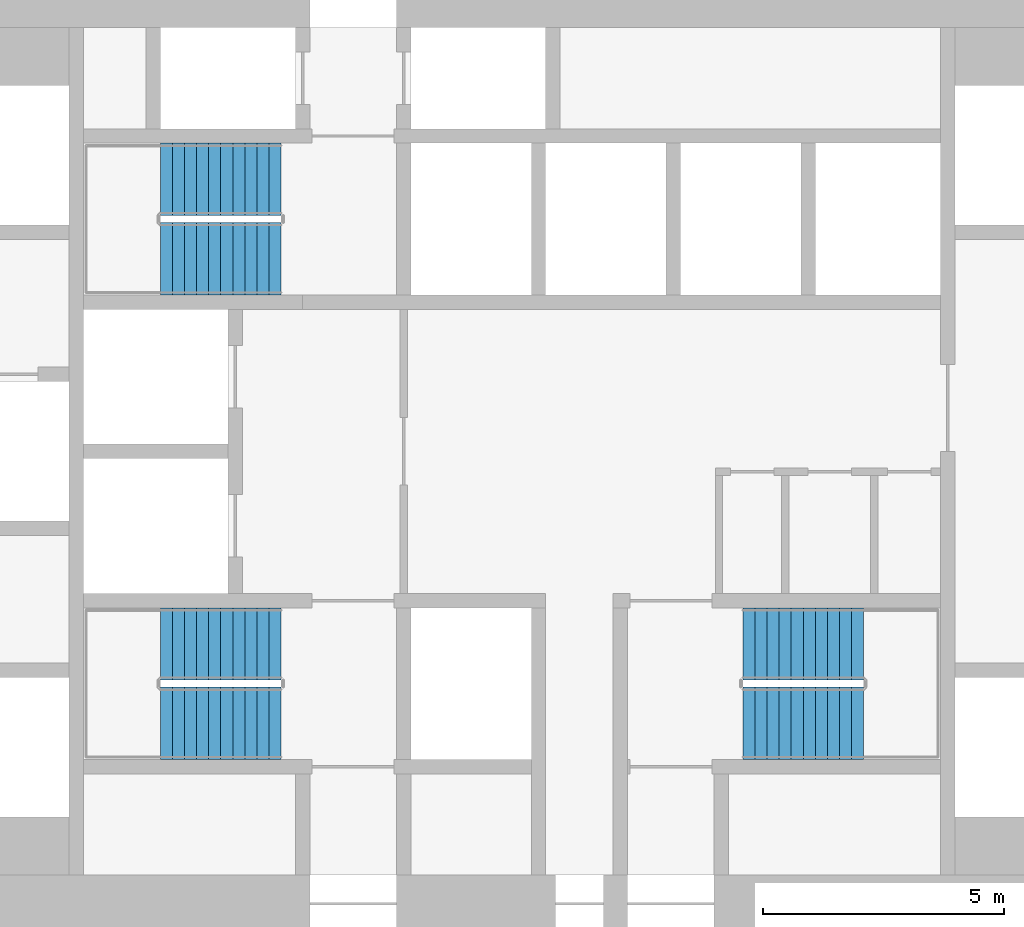
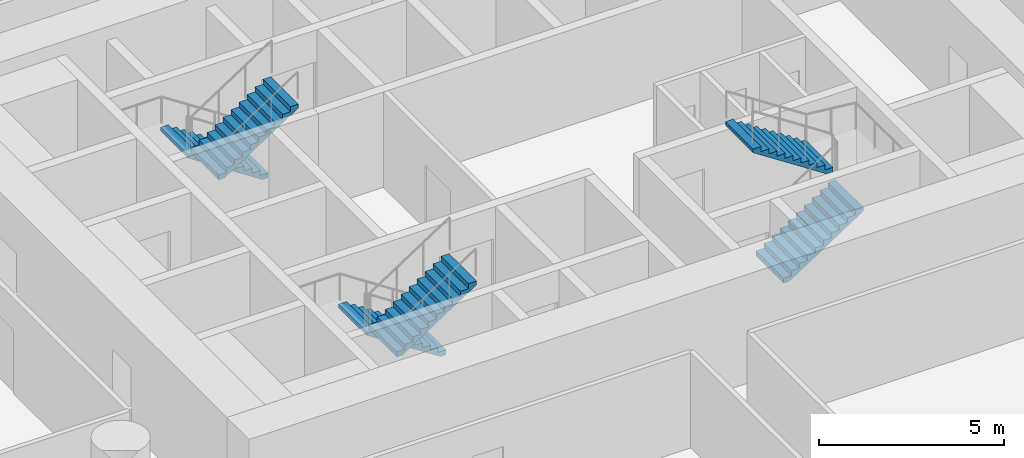
# One storey, part 11 of 12: 6 stair flights, 3 elements without a shape of their own.
"""IFC4 building model written with IfcOpenShell, lengths in metres."""

import ifcopenshell
import ifcopenshell.guid

model = None  # the IFC model being written
_history = None  # IfcOwnerHistory: only IFC2X3 demands one
_inside = {}  # id of a spatial element -> (the spatial element, [elements in it])
_under = {}  # id of a project, library or spatial element -> (it, [spatial elements below it])
_declared = {}  # id of a project -> (the project, [libraries it declares])
_typed = {}  # id of a type object -> (the type object, [elements of that type])
_made_of = {}  # id of a material, layer set ... -> (it, [elements and type objects made of it])


def new_model(schema):
    """Start an empty IFC model of exactly this schema.

    Asked for "IFC4X3", IfcOpenShell would pick the latest addendum, in which some entities
    have other attributes; the version numbers below select the first issue.
    IFC2X3 requires an IfcOwnerHistory on every rooted entity: one is made here for all.
    """
    global model, _history
    if schema == "IFC4X3":
        model = ifcopenshell.file(schema_version=(4, 3, 0, 0))
    else:
        model = ifcopenshell.file(schema=schema)
    _inside.clear()
    _under.clear()
    _declared.clear()
    _typed.clear()
    _made_of.clear()
    _history = None
    if model.schema == "IFC2X3":
        org = make("IfcOrganization", Name="unknown")
        user = make(
            "IfcPersonAndOrganization",
            ThePerson=make("IfcPerson", FamilyName="unknown"),
            TheOrganization=org,
        )
        app = make(
            "IfcApplication",
            ApplicationDeveloper=org,
            Version="unknown",
            ApplicationFullName="unknown",
            ApplicationIdentifier="unknown",
        )
        _history = make(
            "IfcOwnerHistory",
            OwningUser=user,
            OwningApplication=app,
            ChangeAction="ADDED",
            CreationDate=0,
        )
    return model


def make(cls, **values):
    """One entity of the class cls with the attributes given. An attribute that is None is left unset."""
    return model.create_entity(
        cls, **{name: value for name, value in values.items() if value is not None}
    )


def rooted(cls, **values):
    """An entity with a GlobalId (a new one), such as an element, a storey or a relation."""
    return make(cls, GlobalId=ifcopenshell.guid.new(), OwnerHistory=_history, **values)


def si_unit(unit_type, name, prefix=None):
    """IfcSIUnit, for example si_unit("LENGTHUNIT", "METRE", prefix="MILLI")."""
    return make("IfcSIUnit", UnitType=unit_type, Prefix=prefix, Name=name)


def assignment(units):
    """IfcUnitAssignment: the units of a project."""
    return None if units is None else make("IfcUnitAssignment", Units=units)


def point(xyz):
    """IfcCartesianPoint."""
    return None if xyz is None else make("IfcCartesianPoint", Coordinates=xyz)


def direction(xyz):
    """IfcDirection."""
    return None if xyz is None else make("IfcDirection", DirectionRatios=xyz)


def frame(location, z_axis=None, x_axis=None):
    """IfcAxis2Placement3D, a coordinate frame: its origin and axes. An axis left out is left unset."""
    return make(
        "IfcAxis2Placement3D",
        Location=point(location),
        Axis=direction(z_axis),
        RefDirection=direction(x_axis),
    )


def origin():
    """The frame at (0, 0, 0) with its axes left unset."""
    return frame((0.0, 0.0, 0.0))


def place(relative_to, where):
    """IfcLocalPlacement: puts the frame where relative to a parent placement (None: the world)."""
    return make(
        "IfcLocalPlacement", PlacementRelTo=relative_to, RelativePlacement=where
    )


def context(
    kind, dimensions, precision=None, world=None, true_north=None, identifier=None
):
    """IfcGeometricRepresentationContext, for example the 3D "Model" context."""
    return make(
        "IfcGeometricRepresentationContext",
        ContextIdentifier=identifier,
        ContextType=kind,
        CoordinateSpaceDimension=dimensions,
        Precision=precision,
        WorldCoordinateSystem=world,
        TrueNorth=true_north,
    )


def subcontext(parent, identifier, kind, view, scale=None):
    """IfcGeometricRepresentationSubContext, for example "Body" below "Model"."""
    return make(
        "IfcGeometricRepresentationSubContext",
        ContextIdentifier=identifier,
        ContextType=kind,
        ParentContext=parent,
        TargetScale=scale,
        TargetView=view,
    )


def project(units=None, contexts=None):
    """IfcProject with its units and contexts."""
    return rooted(
        "IfcProject",
        Name="project",
        RepresentationContexts=contexts,
        UnitsInContext=assignment(units),
    )


def spatial(cls, under=None, at=None, **own):
    """A site, building, storey or space (cls), placed at a placement, below another one or the project."""
    s = rooted(cls, ObjectPlacement=at, **own)
    if under is not None:
        _under.setdefault(under.id(), (under, []))[1].append(s)
    return s


def polyline(points):
    """IfcPolyline through the points."""
    return make("IfcPolyline", Points=[point(p) for p in points])


def outline(outer, holes=None, kind="AREA"):
    """IfcArbitraryClosedProfileDef: a profile drawn as a closed curve; with holes, ...WithVoids."""
    if holes is None:
        return make("IfcArbitraryClosedProfileDef", ProfileType=kind, OuterCurve=outer)
    return make(
        "IfcArbitraryProfileDefWithVoids",
        ProfileType=kind,
        OuterCurve=outer,
        InnerCurves=holes,
    )


def extrude(swept, where, along, depth):
    """IfcExtrudedAreaSolid: the profile swept, set in the frame where, extruded along a direction by depth."""
    return make(
        "IfcExtrudedAreaSolid",
        SweptArea=swept,
        Position=where,
        ExtrudedDirection=direction(along),
        Depth=depth,
    )


def shape(context_of_items, identifier, shape_type, items):
    """IfcShapeRepresentation: the items that make up one representation, for example the "Body"."""
    return make(
        "IfcShapeRepresentation",
        ContextOfItems=context_of_items,
        RepresentationIdentifier=identifier,
        RepresentationType=shape_type,
        Items=items,
    )


def material(Name=None, Category=None):
    """IfcMaterial."""
    return make("IfcMaterial", Name=Name, Category=Category)


def made_of(thing, what):
    """Note that an element or type object is made of a material, layer set ...; save() writes the relation."""
    if what is not None:
        _made_of.setdefault(what.id(), (what, []))[1].append(thing)
    return thing


def type_object(cls, material=None, **own):
    """A type object (cls), such as IfcWallType, which elements share."""
    return made_of(rooted(cls, **own), material)


def element(
    cls,
    number,
    at=None,
    inside=None,
    cuts=None,
    type_object=None,
    material=None,
    context=None,
    identifier="Body",
    shape_type=None,
    held_by="IfcProductDefinitionShape",
    body=None,
    shapes=None,
    **own,
):
    """One element of the class cls, such as IfcWall. Its Tag is "e" and its number.

    at: its placement. inside: the storey or other place that contains it. cuts: it is an
    opening in that element (IfcRelVoidsElement). A single representation is given by context,
    identifier, shape_type and body (its items); several are given by shapes. held_by: the class
    of the entity that holds the representations. save() writes the other relations.
    """
    e = rooted(cls, Tag="e%d" % number, ObjectPlacement=at, **own)
    if body is not None:
        shapes = [shape(context, identifier, shape_type, body)]
    if shapes is not None:
        e.Representation = make(held_by, Representations=shapes)
    if inside is not None:
        _inside.setdefault(inside.id(), (inside, []))[1].append(e)
    if cuts is not None:
        rooted(
            "IfcRelVoidsElement", RelatingBuildingElement=cuts, RelatedOpeningElement=e
        )
    if type_object is not None:
        _typed.setdefault(type_object.id(), (type_object, []))[1].append(e)
    return made_of(e, material)


def aggregate(whole, parts):
    """IfcRelAggregates: a whole, such as a stair, and the parts it consists of."""
    return rooted("IfcRelAggregates", RelatingObject=whole, RelatedObjects=parts)


def save(model, path):
    """Write the relations noted so far, then the file.

    IfcRelAggregates (storeys below a building ...), IfcRelContainedInSpatialStructure (elements
    in a storey), IfcRelDefinesByType, IfcRelAssociatesMaterial and IfcRelDeclares: one each for
    every whole, place, type object, material and project.
    """
    for whole, parts in _under.values():
        aggregate(whole, parts)
    for where, things in _inside.values():
        rooted(
            "IfcRelContainedInSpatialStructure",
            RelatedElements=things,
            RelatingStructure=where,
        )
    for kind, things in _typed.values():
        rooted("IfcRelDefinesByType", RelatedObjects=things, RelatingType=kind)
    for what, things in _made_of.values():
        rooted("IfcRelAssociatesMaterial", RelatedObjects=things, RelatingMaterial=what)
    for by, libraries in _declared.values():
        rooted("IfcRelDeclares", RelatingContext=by, RelatedDefinitions=libraries)
    model.write(path)


model = new_model("IFC4")

# Units and contexts
model_context = context("Model", 3, precision=1e-05, world=origin(), true_north=direction((0.0, 1.0)))
body_context = subcontext(model_context, "Body", "Model", "MODEL_VIEW")
ifc_project = project(units=[si_unit("LENGTHUNIT", "METRE"), si_unit("AREAUNIT", "SQUARE_METRE"), si_unit("VOLUMEUNIT", "CUBIC_METRE"), si_unit("PLANEANGLEUNIT", "RADIAN"), si_unit("MASSUNIT", "GRAM", prefix="KILO")], contexts=[model_context])

# Site, building, storey
site_placement = place(None, origin())
site = spatial("IfcSite", under=ifc_project, at=site_placement, CompositionType="ELEMENT")
building_placement = place(site_placement, origin())
building = spatial("IfcBuilding", under=site, at=building_placement, Name="Tracery Tower", CompositionType="ELEMENT")
storey_placement = place(building_placement, frame((0.0, 0.0, 42.60009765625)))
storey = spatial("IfcBuildingStorey", under=building, at=storey_placement, Name="L09", CompositionType="ELEMENT", Elevation=42.60009765625)

# Stair, stair flights
ifc_material_1 = material(Name="Concrete C32/40", Category="concrete")
stair_type = type_object("IfcStairType", Name="Core stair 22 risers", PredefinedType="HALF_TURN_STAIR", material=ifc_material_1)
stair_1_placement = place(storey_placement, origin())
stair_1 = element("IfcStair", 1, at=stair_1_placement, inside=storey, type_object=stair_type, Name="L09 stair ST1", PredefinedType="HALF_TURN_STAIR")
ifc_material_2 = material(Name="Concrete C32/40", Category="concrete")
stair_flight_type = type_object("IfcStairFlightType", Name="Core stair flight 11 risers", PredefinedType="STRAIGHT", material=ifc_material_2)
stair_flight_1_placement = place(storey_placement, frame((-4.800048828125, -4.0, 0.0), z_axis=(0.0, 0.0, 1.0), x_axis=(-1.0, 0.0, 0.0)))
stair_flight_1 = element("IfcStairFlight", 2, at=stair_flight_1_placement, type_object=stair_flight_type, Name="ST1 flight 1", NumberOfRisers=11, NumberOfTreads=10, PredefinedType="STRAIGHT", RiserHeight=0.163636364, TreadLength=0.25, context=body_context, shape_type="SweptSolid", body=[
    extrude(outline(polyline([(0.0, 0.0), (0.0, 0.002685546875), (0.0, 0.00537109375), (0.0, 0.008056640625), (0.0, 0.0107421875), (0.0, 0.013427734375), (0.0, 0.01611328125), (0.0, 0.018798828125), (0.0, 0.021484375), (0.0, 0.024169921875), (0.0, 0.02685546875), (0.0, 0.029541015625), (0.0, 0.0322265625), (0.0, 0.034912109375), (0.0, 0.03759765625), (0.0, 0.040283203125), (0.0, 0.04296875), (0.0, 0.045654296875), (0.0, 0.04833984375), (0.0, 0.051025390625), (0.0, 0.0537109375), (0.0, 0.056396484375), (0.0, 0.05908203125), (0.0, 0.061767578125), (0.0, 0.064453125), (0.0, 0.067138671875), (0.0, 0.06982421875), (0.0, 0.072509765625), (0.0, 0.0751953125), (0.0, 0.077880859375), (0.0, 0.08056640625), (0.0, 0.083251953125), (0.0, 0.0859375), (0.0, 0.088623046875), (0.0, 0.09130859375), (0.0, 0.093994140625), (0.0, 0.0966796875), (0.0, 0.099365234375), (0.0, 0.10205078125), (0.0, 0.104736328125), (0.0, 0.107421875), (0.0, 0.10986328125), (0.0, 0.112548828125), (0.0, 0.115234375), (0.0, 0.117919921875), (0.0, 0.12060546875), (0.0, 0.123291015625), (0.0, 0.1259765625), (0.0, 0.128662109375), (0.0, 0.13134765625), (0.0, 0.134033203125), (0.0, 0.13671875), (0.0, 0.139404296875), (0.0, 0.14208984375), (0.0, 0.144775390625), (0.0, 0.1474609375), (0.0, 0.150146484375), (0.0, 0.15283203125), (0.0, 0.155517578125), (0.0, 0.158203125), (0.0, 0.160888671875), (0.0, 0.16357421875), (0.25, 0.16357421875), (0.25, 0.327392578125), (0.5, 0.327392578125), (0.5, 0.490966796875), (0.75, 0.490966796875), (0.75, 0.654541015625), (1.0, 0.654541015625), (1.0, 0.818115234375), (1.25, 0.818115234375), (1.25, 0.98193359375), (1.5, 0.98193359375), (1.5, 1.1455078125), (1.75, 1.1455078125), (1.75, 1.30908203125), (2.0, 1.30908203125), (2.0, 1.47265625), (2.25, 1.47265625), (2.25, 1.636474609375), (2.5, 1.636474609375), (2.5, 1.634521484375), (2.5, 1.63232421875), (2.5, 1.63037109375), (2.5, 1.62841796875), (2.5, 1.62646484375), (2.5, 1.62451171875), (2.5, 1.62255859375), (2.5, 1.62060546875), (2.5, 1.61865234375), (2.5, 1.61669921875), (2.5, 1.61474609375), (2.5, 1.61279296875), (2.5, 1.61083984375), (2.5, 1.60888671875), (2.5, 1.60693359375), (2.5, 1.60498046875), (2.5, 1.60302734375), (2.5, 1.60107421875), (2.5, 1.59912109375), (2.5, 1.59716796875), (2.5, 1.59521484375), (2.5, 1.59326171875), (2.5, 1.59130859375), (2.5, 1.58935546875), (2.5, 1.58740234375), (2.5, 1.58544921875), (2.5, 1.58349609375), (2.5, 1.58154296875), (2.5, 1.57958984375), (2.5, 1.57763671875), (2.5, 1.57568359375), (2.5, 1.573486328125), (2.5, 1.571533203125), (2.5, 1.569580078125), (2.5, 1.567626953125), (2.5, 1.565673828125), (2.5, 1.563720703125), (2.5, 1.561767578125), (2.5, 1.559814453125), (2.5, 1.557861328125), (2.5, 1.555908203125), (2.5, 1.553955078125), (2.5, 1.552001953125), (2.5, 1.550048828125), (2.5, 1.548095703125), (2.5, 1.546142578125), (2.5, 1.544189453125), (2.5, 1.542236328125), (2.5, 1.540283203125), (2.5, 1.538330078125), (2.5, 1.536376953125), (2.5, 1.534423828125), (2.5, 1.532470703125), (2.5, 1.530517578125), (2.5, 1.528564453125), (2.5, 1.526611328125), (2.5, 1.524658203125), (2.5, 1.522705078125), (2.5, 1.520751953125), (2.5, 1.518798828125), (2.5, 1.516845703125), (0.182861328125, 0.0), (0.0, 0.0)])), frame((0.0, 0.75, 0.0), z_axis=(0.0, -1.0, 0.0), x_axis=(1.0, 0.0, 0.0)), (0.0, 0.0, 1.0), 1.5),
])
stair_flight_2_placement = place(storey_placement, frame((-7.300048828125, -5.64990234375, 1.7998046875), z_axis=(0.0, 0.0, 1.0), x_axis=(1.0, 0.0, 0.0)))
stair_flight_2 = element("IfcStairFlight", 3, at=stair_flight_2_placement, type_object=stair_flight_type, Name="ST1 flight 2", NumberOfRisers=11, NumberOfTreads=10, PredefinedType="STRAIGHT", RiserHeight=0.163636364, TreadLength=0.25, context=body_context, shape_type="SweptSolid", body=[
    extrude(outline(polyline([(0.0, 0.0), (0.0, 0.002685546875), (0.0, 0.00537109375), (0.0, 0.008056640625), (0.0, 0.0107421875), (0.0, 0.013427734375), (0.0, 0.01611328125), (0.0, 0.018798828125), (0.0, 0.021484375), (0.0, 0.024169921875), (0.0, 0.02685546875), (0.0, 0.029541015625), (0.0, 0.0322265625), (0.0, 0.034912109375), (0.0, 0.03759765625), (0.0, 0.040283203125), (0.0, 0.04296875), (0.0, 0.045654296875), (0.0, 0.04833984375), (0.0, 0.051025390625), (0.0, 0.0537109375), (0.0, 0.056396484375), (0.0, 0.05908203125), (0.0, 0.061767578125), (0.0, 0.064453125), (0.0, 0.067138671875), (0.0, 0.06982421875), (0.0, 0.072509765625), (0.0, 0.0751953125), (0.0, 0.077880859375), (0.0, 0.08056640625), (0.0, 0.083251953125), (0.0, 0.0859375), (0.0, 0.088623046875), (0.0, 0.09130859375), (0.0, 0.093994140625), (0.0, 0.0966796875), (0.0, 0.099365234375), (0.0, 0.10205078125), (0.0, 0.104736328125), (0.0, 0.107421875), (0.0, 0.10986328125), (0.0, 0.112548828125), (0.0, 0.115234375), (0.0, 0.117919921875), (0.0, 0.12060546875), (0.0, 0.123291015625), (0.0, 0.1259765625), (0.0, 0.128662109375), (0.0, 0.13134765625), (0.0, 0.134033203125), (0.0, 0.13671875), (0.0, 0.139404296875), (0.0, 0.14208984375), (0.0, 0.144775390625), (0.0, 0.1474609375), (0.0, 0.150146484375), (0.0, 0.15283203125), (0.0, 0.155517578125), (0.0, 0.158203125), (0.0, 0.160888671875), (0.0, 0.16357421875), (0.25, 0.16357421875), (0.25, 0.327392578125), (0.5, 0.327392578125), (0.5, 0.490966796875), (0.75, 0.490966796875), (0.75, 0.654541015625), (1.0, 0.654541015625), (1.0, 0.818115234375), (1.25, 0.818115234375), (1.25, 0.98193359375), (1.5, 0.98193359375), (1.5, 1.1455078125), (1.75, 1.1455078125), (1.75, 1.30908203125), (2.0, 1.30908203125), (2.0, 1.47265625), (2.25, 1.47265625), (2.25, 1.636474609375), (2.5, 1.636474609375), (2.5, 1.634521484375), (2.5, 1.63232421875), (2.5, 1.63037109375), (2.5, 1.62841796875), (2.5, 1.62646484375), (2.5, 1.62451171875), (2.5, 1.62255859375), (2.5, 1.62060546875), (2.5, 1.61865234375), (2.5, 1.61669921875), (2.5, 1.61474609375), (2.5, 1.61279296875), (2.5, 1.61083984375), (2.5, 1.60888671875), (2.5, 1.60693359375), (2.5, 1.60498046875), (2.5, 1.60302734375), (2.5, 1.60107421875), (2.5, 1.59912109375), (2.5, 1.59716796875), (2.5, 1.59521484375), (2.5, 1.59326171875), (2.5, 1.59130859375), (2.5, 1.58935546875), (2.5, 1.58740234375), (2.5, 1.58544921875), (2.5, 1.58349609375), (2.5, 1.58154296875), (2.5, 1.57958984375), (2.5, 1.57763671875), (2.5, 1.57568359375), (2.5, 1.573486328125), (2.5, 1.571533203125), (2.5, 1.569580078125), (2.5, 1.567626953125), (2.5, 1.565673828125), (2.5, 1.563720703125), (2.5, 1.561767578125), (2.5, 1.559814453125), (2.5, 1.557861328125), (2.5, 1.555908203125), (2.5, 1.553955078125), (2.5, 1.552001953125), (2.5, 1.550048828125), (2.5, 1.548095703125), (2.5, 1.546142578125), (2.5, 1.544189453125), (2.5, 1.542236328125), (2.5, 1.540283203125), (2.5, 1.538330078125), (2.5, 1.536376953125), (2.5, 1.534423828125), (2.5, 1.532470703125), (2.5, 1.530517578125), (2.5, 1.528564453125), (2.5, 1.526611328125), (2.5, 1.524658203125), (2.5, 1.522705078125), (2.5, 1.520751953125), (2.5, 1.518798828125), (2.5, 1.516845703125), (0.182861328125, 0.0), (0.0, 0.0)])), frame((0.0, 0.75, 0.0), z_axis=(0.0, -1.0, 0.0), x_axis=(1.0, 0.0, 0.0)), (0.0, 0.0, 1.0), 1.5),
])
aggregate(stair_1, [stair_flight_1, stair_flight_2])

stair_2_placement = place(storey_placement, origin())
stair_2 = element("IfcStair", 4, at=stair_2_placement, inside=storey, type_object=stair_type, Name="L09 stair ST3", PredefinedType="HALF_TURN_STAIR")
stair_flight_3_placement = place(storey_placement, frame((-4.800048828125, 5.64990234375, 0.0), z_axis=(0.0, 0.0, 1.0), x_axis=(-1.0, 0.0, 0.0)))
stair_flight_3 = element("IfcStairFlight", 5, at=stair_flight_3_placement, type_object=stair_flight_type, Name="ST3 flight 1", NumberOfRisers=11, NumberOfTreads=10, PredefinedType="STRAIGHT", RiserHeight=0.163636364, TreadLength=0.25, context=body_context, shape_type="SweptSolid", body=[
    extrude(outline(polyline([(0.0, 0.0), (0.0, 0.002685546875), (0.0, 0.00537109375), (0.0, 0.008056640625), (0.0, 0.0107421875), (0.0, 0.013427734375), (0.0, 0.01611328125), (0.0, 0.018798828125), (0.0, 0.021484375), (0.0, 0.024169921875), (0.0, 0.02685546875), (0.0, 0.029541015625), (0.0, 0.0322265625), (0.0, 0.034912109375), (0.0, 0.03759765625), (0.0, 0.040283203125), (0.0, 0.04296875), (0.0, 0.045654296875), (0.0, 0.04833984375), (0.0, 0.051025390625), (0.0, 0.0537109375), (0.0, 0.056396484375), (0.0, 0.05908203125), (0.0, 0.061767578125), (0.0, 0.064453125), (0.0, 0.067138671875), (0.0, 0.06982421875), (0.0, 0.072509765625), (0.0, 0.0751953125), (0.0, 0.077880859375), (0.0, 0.08056640625), (0.0, 0.083251953125), (0.0, 0.0859375), (0.0, 0.088623046875), (0.0, 0.09130859375), (0.0, 0.093994140625), (0.0, 0.0966796875), (0.0, 0.099365234375), (0.0, 0.10205078125), (0.0, 0.104736328125), (0.0, 0.107421875), (0.0, 0.10986328125), (0.0, 0.112548828125), (0.0, 0.115234375), (0.0, 0.117919921875), (0.0, 0.12060546875), (0.0, 0.123291015625), (0.0, 0.1259765625), (0.0, 0.128662109375), (0.0, 0.13134765625), (0.0, 0.134033203125), (0.0, 0.13671875), (0.0, 0.139404296875), (0.0, 0.14208984375), (0.0, 0.144775390625), (0.0, 0.1474609375), (0.0, 0.150146484375), (0.0, 0.15283203125), (0.0, 0.155517578125), (0.0, 0.158203125), (0.0, 0.160888671875), (0.0, 0.16357421875), (0.25, 0.16357421875), (0.25, 0.327392578125), (0.5, 0.327392578125), (0.5, 0.490966796875), (0.75, 0.490966796875), (0.75, 0.654541015625), (1.0, 0.654541015625), (1.0, 0.818115234375), (1.25, 0.818115234375), (1.25, 0.98193359375), (1.5, 0.98193359375), (1.5, 1.1455078125), (1.75, 1.1455078125), (1.75, 1.30908203125), (2.0, 1.30908203125), (2.0, 1.47265625), (2.25, 1.47265625), (2.25, 1.636474609375), (2.5, 1.636474609375), (2.5, 1.634521484375), (2.5, 1.63232421875), (2.5, 1.63037109375), (2.5, 1.62841796875), (2.5, 1.62646484375), (2.5, 1.62451171875), (2.5, 1.62255859375), (2.5, 1.62060546875), (2.5, 1.61865234375), (2.5, 1.61669921875), (2.5, 1.61474609375), (2.5, 1.61279296875), (2.5, 1.61083984375), (2.5, 1.60888671875), (2.5, 1.60693359375), (2.5, 1.60498046875), (2.5, 1.60302734375), (2.5, 1.60107421875), (2.5, 1.59912109375), (2.5, 1.59716796875), (2.5, 1.59521484375), (2.5, 1.59326171875), (2.5, 1.59130859375), (2.5, 1.58935546875), (2.5, 1.58740234375), (2.5, 1.58544921875), (2.5, 1.58349609375), (2.5, 1.58154296875), (2.5, 1.57958984375), (2.5, 1.57763671875), (2.5, 1.57568359375), (2.5, 1.573486328125), (2.5, 1.571533203125), (2.5, 1.569580078125), (2.5, 1.567626953125), (2.5, 1.565673828125), (2.5, 1.563720703125), (2.5, 1.561767578125), (2.5, 1.559814453125), (2.5, 1.557861328125), (2.5, 1.555908203125), (2.5, 1.553955078125), (2.5, 1.552001953125), (2.5, 1.550048828125), (2.5, 1.548095703125), (2.5, 1.546142578125), (2.5, 1.544189453125), (2.5, 1.542236328125), (2.5, 1.540283203125), (2.5, 1.538330078125), (2.5, 1.536376953125), (2.5, 1.534423828125), (2.5, 1.532470703125), (2.5, 1.530517578125), (2.5, 1.528564453125), (2.5, 1.526611328125), (2.5, 1.524658203125), (2.5, 1.522705078125), (2.5, 1.520751953125), (2.5, 1.518798828125), (2.5, 1.516845703125), (0.182861328125, 0.0), (0.0, 0.0)])), frame((0.0, 0.75, 0.0), z_axis=(0.0, -1.0, 0.0), x_axis=(1.0, 0.0, 0.0)), (0.0, 0.0, 1.0), 1.5),
])
stair_flight_4_placement = place(storey_placement, frame((-7.300048828125, 4.0, 1.7998046875), z_axis=(0.0, 0.0, 1.0), x_axis=(1.0, 0.0, 0.0)))
stair_flight_4 = element("IfcStairFlight", 6, at=stair_flight_4_placement, type_object=stair_flight_type, Name="ST3 flight 2", NumberOfRisers=11, NumberOfTreads=10, PredefinedType="STRAIGHT", RiserHeight=0.163636364, TreadLength=0.25, context=body_context, shape_type="SweptSolid", body=[
    extrude(outline(polyline([(0.0, 0.0), (0.0, 0.002685546875), (0.0, 0.00537109375), (0.0, 0.008056640625), (0.0, 0.0107421875), (0.0, 0.013427734375), (0.0, 0.01611328125), (0.0, 0.018798828125), (0.0, 0.021484375), (0.0, 0.024169921875), (0.0, 0.02685546875), (0.0, 0.029541015625), (0.0, 0.0322265625), (0.0, 0.034912109375), (0.0, 0.03759765625), (0.0, 0.040283203125), (0.0, 0.04296875), (0.0, 0.045654296875), (0.0, 0.04833984375), (0.0, 0.051025390625), (0.0, 0.0537109375), (0.0, 0.056396484375), (0.0, 0.05908203125), (0.0, 0.061767578125), (0.0, 0.064453125), (0.0, 0.067138671875), (0.0, 0.06982421875), (0.0, 0.072509765625), (0.0, 0.0751953125), (0.0, 0.077880859375), (0.0, 0.08056640625), (0.0, 0.083251953125), (0.0, 0.0859375), (0.0, 0.088623046875), (0.0, 0.09130859375), (0.0, 0.093994140625), (0.0, 0.0966796875), (0.0, 0.099365234375), (0.0, 0.10205078125), (0.0, 0.104736328125), (0.0, 0.107421875), (0.0, 0.10986328125), (0.0, 0.112548828125), (0.0, 0.115234375), (0.0, 0.117919921875), (0.0, 0.12060546875), (0.0, 0.123291015625), (0.0, 0.1259765625), (0.0, 0.128662109375), (0.0, 0.13134765625), (0.0, 0.134033203125), (0.0, 0.13671875), (0.0, 0.139404296875), (0.0, 0.14208984375), (0.0, 0.144775390625), (0.0, 0.1474609375), (0.0, 0.150146484375), (0.0, 0.15283203125), (0.0, 0.155517578125), (0.0, 0.158203125), (0.0, 0.160888671875), (0.0, 0.16357421875), (0.25, 0.16357421875), (0.25, 0.327392578125), (0.5, 0.327392578125), (0.5, 0.490966796875), (0.75, 0.490966796875), (0.75, 0.654541015625), (1.0, 0.654541015625), (1.0, 0.818115234375), (1.25, 0.818115234375), (1.25, 0.98193359375), (1.5, 0.98193359375), (1.5, 1.1455078125), (1.75, 1.1455078125), (1.75, 1.30908203125), (2.0, 1.30908203125), (2.0, 1.47265625), (2.25, 1.47265625), (2.25, 1.636474609375), (2.5, 1.636474609375), (2.5, 1.634521484375), (2.5, 1.63232421875), (2.5, 1.63037109375), (2.5, 1.62841796875), (2.5, 1.62646484375), (2.5, 1.62451171875), (2.5, 1.62255859375), (2.5, 1.62060546875), (2.5, 1.61865234375), (2.5, 1.61669921875), (2.5, 1.61474609375), (2.5, 1.61279296875), (2.5, 1.61083984375), (2.5, 1.60888671875), (2.5, 1.60693359375), (2.5, 1.60498046875), (2.5, 1.60302734375), (2.5, 1.60107421875), (2.5, 1.59912109375), (2.5, 1.59716796875), (2.5, 1.59521484375), (2.5, 1.59326171875), (2.5, 1.59130859375), (2.5, 1.58935546875), (2.5, 1.58740234375), (2.5, 1.58544921875), (2.5, 1.58349609375), (2.5, 1.58154296875), (2.5, 1.57958984375), (2.5, 1.57763671875), (2.5, 1.57568359375), (2.5, 1.573486328125), (2.5, 1.571533203125), (2.5, 1.569580078125), (2.5, 1.567626953125), (2.5, 1.565673828125), (2.5, 1.563720703125), (2.5, 1.561767578125), (2.5, 1.559814453125), (2.5, 1.557861328125), (2.5, 1.555908203125), (2.5, 1.553955078125), (2.5, 1.552001953125), (2.5, 1.550048828125), (2.5, 1.548095703125), (2.5, 1.546142578125), (2.5, 1.544189453125), (2.5, 1.542236328125), (2.5, 1.540283203125), (2.5, 1.538330078125), (2.5, 1.536376953125), (2.5, 1.534423828125), (2.5, 1.532470703125), (2.5, 1.530517578125), (2.5, 1.528564453125), (2.5, 1.526611328125), (2.5, 1.524658203125), (2.5, 1.522705078125), (2.5, 1.520751953125), (2.5, 1.518798828125), (2.5, 1.516845703125), (0.182861328125, 0.0), (0.0, 0.0)])), frame((0.0, 0.75, 0.0), z_axis=(0.0, -1.0, 0.0), x_axis=(1.0, 0.0, 0.0)), (0.0, 0.0, 1.0), 1.5),
])
aggregate(stair_2, [stair_flight_3, stair_flight_4])

stair_3_placement = place(storey_placement, origin())
stair_3 = element("IfcStair", 7, at=stair_3_placement, inside=storey, type_object=stair_type, Name="L09 stair ST2", PredefinedType="HALF_TURN_STAIR")
stair_flight_5_placement = place(storey_placement, frame((4.800048828125, -5.64990234375, 0.0), z_axis=(0.0, 0.0, 1.0), x_axis=(1.0, 0.0, 0.0)))
stair_flight_5 = element("IfcStairFlight", 8, at=stair_flight_5_placement, type_object=stair_flight_type, Name="ST2 flight 1", NumberOfRisers=11, NumberOfTreads=10, PredefinedType="STRAIGHT", RiserHeight=0.163636364, TreadLength=0.25, context=body_context, shape_type="SweptSolid", body=[
    extrude(outline(polyline([(0.0, 0.0), (0.0, 0.002685546875), (0.0, 0.00537109375), (0.0, 0.008056640625), (0.0, 0.0107421875), (0.0, 0.013427734375), (0.0, 0.01611328125), (0.0, 0.018798828125), (0.0, 0.021484375), (0.0, 0.024169921875), (0.0, 0.02685546875), (0.0, 0.029541015625), (0.0, 0.0322265625), (0.0, 0.034912109375), (0.0, 0.03759765625), (0.0, 0.040283203125), (0.0, 0.04296875), (0.0, 0.045654296875), (0.0, 0.04833984375), (0.0, 0.051025390625), (0.0, 0.0537109375), (0.0, 0.056396484375), (0.0, 0.05908203125), (0.0, 0.061767578125), (0.0, 0.064453125), (0.0, 0.067138671875), (0.0, 0.06982421875), (0.0, 0.072509765625), (0.0, 0.0751953125), (0.0, 0.077880859375), (0.0, 0.08056640625), (0.0, 0.083251953125), (0.0, 0.0859375), (0.0, 0.088623046875), (0.0, 0.09130859375), (0.0, 0.093994140625), (0.0, 0.0966796875), (0.0, 0.099365234375), (0.0, 0.10205078125), (0.0, 0.104736328125), (0.0, 0.107421875), (0.0, 0.10986328125), (0.0, 0.112548828125), (0.0, 0.115234375), (0.0, 0.117919921875), (0.0, 0.12060546875), (0.0, 0.123291015625), (0.0, 0.1259765625), (0.0, 0.128662109375), (0.0, 0.13134765625), (0.0, 0.134033203125), (0.0, 0.13671875), (0.0, 0.139404296875), (0.0, 0.14208984375), (0.0, 0.144775390625), (0.0, 0.1474609375), (0.0, 0.150146484375), (0.0, 0.15283203125), (0.0, 0.155517578125), (0.0, 0.158203125), (0.0, 0.160888671875), (0.0, 0.16357421875), (0.25, 0.16357421875), (0.25, 0.327392578125), (0.5, 0.327392578125), (0.5, 0.490966796875), (0.75, 0.490966796875), (0.75, 0.654541015625), (1.0, 0.654541015625), (1.0, 0.818115234375), (1.25, 0.818115234375), (1.25, 0.98193359375), (1.5, 0.98193359375), (1.5, 1.1455078125), (1.75, 1.1455078125), (1.75, 1.30908203125), (2.0, 1.30908203125), (2.0, 1.47265625), (2.25, 1.47265625), (2.25, 1.636474609375), (2.5, 1.636474609375), (2.5, 1.634521484375), (2.5, 1.63232421875), (2.5, 1.63037109375), (2.5, 1.62841796875), (2.5, 1.62646484375), (2.5, 1.62451171875), (2.5, 1.62255859375), (2.5, 1.62060546875), (2.5, 1.61865234375), (2.5, 1.61669921875), (2.5, 1.61474609375), (2.5, 1.61279296875), (2.5, 1.61083984375), (2.5, 1.60888671875), (2.5, 1.60693359375), (2.5, 1.60498046875), (2.5, 1.60302734375), (2.5, 1.60107421875), (2.5, 1.59912109375), (2.5, 1.59716796875), (2.5, 1.59521484375), (2.5, 1.59326171875), (2.5, 1.59130859375), (2.5, 1.58935546875), (2.5, 1.58740234375), (2.5, 1.58544921875), (2.5, 1.58349609375), (2.5, 1.58154296875), (2.5, 1.57958984375), (2.5, 1.57763671875), (2.5, 1.57568359375), (2.5, 1.573486328125), (2.5, 1.571533203125), (2.5, 1.569580078125), (2.5, 1.567626953125), (2.5, 1.565673828125), (2.5, 1.563720703125), (2.5, 1.561767578125), (2.5, 1.559814453125), (2.5, 1.557861328125), (2.5, 1.555908203125), (2.5, 1.553955078125), (2.5, 1.552001953125), (2.5, 1.550048828125), (2.5, 1.548095703125), (2.5, 1.546142578125), (2.5, 1.544189453125), (2.5, 1.542236328125), (2.5, 1.540283203125), (2.5, 1.538330078125), (2.5, 1.536376953125), (2.5, 1.534423828125), (2.5, 1.532470703125), (2.5, 1.530517578125), (2.5, 1.528564453125), (2.5, 1.526611328125), (2.5, 1.524658203125), (2.5, 1.522705078125), (2.5, 1.520751953125), (2.5, 1.518798828125), (2.5, 1.516845703125), (0.182861328125, 0.0), (0.0, 0.0)])), frame((0.0, 0.75, 0.0), z_axis=(0.0, -1.0, 0.0), x_axis=(1.0, 0.0, 0.0)), (0.0, 0.0, 1.0), 1.5),
])
stair_flight_6_placement = place(storey_placement, frame((7.300048828125, -4.0, 1.7998046875), z_axis=(0.0, 0.0, 1.0), x_axis=(-1.0, 0.0, 0.0)))
stair_flight_6 = element("IfcStairFlight", 9, at=stair_flight_6_placement, type_object=stair_flight_type, Name="ST2 flight 2", NumberOfRisers=11, NumberOfTreads=10, PredefinedType="STRAIGHT", RiserHeight=0.163636364, TreadLength=0.25, context=body_context, shape_type="SweptSolid", body=[
    extrude(outline(polyline([(0.0, 0.0), (0.0, 0.002685546875), (0.0, 0.00537109375), (0.0, 0.008056640625), (0.0, 0.0107421875), (0.0, 0.013427734375), (0.0, 0.01611328125), (0.0, 0.018798828125), (0.0, 0.021484375), (0.0, 0.024169921875), (0.0, 0.02685546875), (0.0, 0.029541015625), (0.0, 0.0322265625), (0.0, 0.034912109375), (0.0, 0.03759765625), (0.0, 0.040283203125), (0.0, 0.04296875), (0.0, 0.045654296875), (0.0, 0.04833984375), (0.0, 0.051025390625), (0.0, 0.0537109375), (0.0, 0.056396484375), (0.0, 0.05908203125), (0.0, 0.061767578125), (0.0, 0.064453125), (0.0, 0.067138671875), (0.0, 0.06982421875), (0.0, 0.072509765625), (0.0, 0.0751953125), (0.0, 0.077880859375), (0.0, 0.08056640625), (0.0, 0.083251953125), (0.0, 0.0859375), (0.0, 0.088623046875), (0.0, 0.09130859375), (0.0, 0.093994140625), (0.0, 0.0966796875), (0.0, 0.099365234375), (0.0, 0.10205078125), (0.0, 0.104736328125), (0.0, 0.107421875), (0.0, 0.10986328125), (0.0, 0.112548828125), (0.0, 0.115234375), (0.0, 0.117919921875), (0.0, 0.12060546875), (0.0, 0.123291015625), (0.0, 0.1259765625), (0.0, 0.128662109375), (0.0, 0.13134765625), (0.0, 0.134033203125), (0.0, 0.13671875), (0.0, 0.139404296875), (0.0, 0.14208984375), (0.0, 0.144775390625), (0.0, 0.1474609375), (0.0, 0.150146484375), (0.0, 0.15283203125), (0.0, 0.155517578125), (0.0, 0.158203125), (0.0, 0.160888671875), (0.0, 0.16357421875), (0.25, 0.16357421875), (0.25, 0.327392578125), (0.5, 0.327392578125), (0.5, 0.490966796875), (0.75, 0.490966796875), (0.75, 0.654541015625), (1.0, 0.654541015625), (1.0, 0.818115234375), (1.25, 0.818115234375), (1.25, 0.98193359375), (1.5, 0.98193359375), (1.5, 1.1455078125), (1.75, 1.1455078125), (1.75, 1.30908203125), (2.0, 1.30908203125), (2.0, 1.47265625), (2.25, 1.47265625), (2.25, 1.636474609375), (2.5, 1.636474609375), (2.5, 1.634521484375), (2.5, 1.63232421875), (2.5, 1.63037109375), (2.5, 1.62841796875), (2.5, 1.62646484375), (2.5, 1.62451171875), (2.5, 1.62255859375), (2.5, 1.62060546875), (2.5, 1.61865234375), (2.5, 1.61669921875), (2.5, 1.61474609375), (2.5, 1.61279296875), (2.5, 1.61083984375), (2.5, 1.60888671875), (2.5, 1.60693359375), (2.5, 1.60498046875), (2.5, 1.60302734375), (2.5, 1.60107421875), (2.5, 1.59912109375), (2.5, 1.59716796875), (2.5, 1.59521484375), (2.5, 1.59326171875), (2.5, 1.59130859375), (2.5, 1.58935546875), (2.5, 1.58740234375), (2.5, 1.58544921875), (2.5, 1.58349609375), (2.5, 1.58154296875), (2.5, 1.57958984375), (2.5, 1.57763671875), (2.5, 1.57568359375), (2.5, 1.573486328125), (2.5, 1.571533203125), (2.5, 1.569580078125), (2.5, 1.567626953125), (2.5, 1.565673828125), (2.5, 1.563720703125), (2.5, 1.561767578125), (2.5, 1.559814453125), (2.5, 1.557861328125), (2.5, 1.555908203125), (2.5, 1.553955078125), (2.5, 1.552001953125), (2.5, 1.550048828125), (2.5, 1.548095703125), (2.5, 1.546142578125), (2.5, 1.544189453125), (2.5, 1.542236328125), (2.5, 1.540283203125), (2.5, 1.538330078125), (2.5, 1.536376953125), (2.5, 1.534423828125), (2.5, 1.532470703125), (2.5, 1.530517578125), (2.5, 1.528564453125), (2.5, 1.526611328125), (2.5, 1.524658203125), (2.5, 1.522705078125), (2.5, 1.520751953125), (2.5, 1.518798828125), (2.5, 1.516845703125), (0.182861328125, 0.0), (0.0, 0.0)])), frame((0.0, 0.75, 0.0), z_axis=(0.0, -1.0, 0.0), x_axis=(1.0, 0.0, 0.0)), (0.0, 0.0, 1.0), 1.5),
])
aggregate(stair_3, [stair_flight_5, stair_flight_6])

save(model, "model.ifc")
